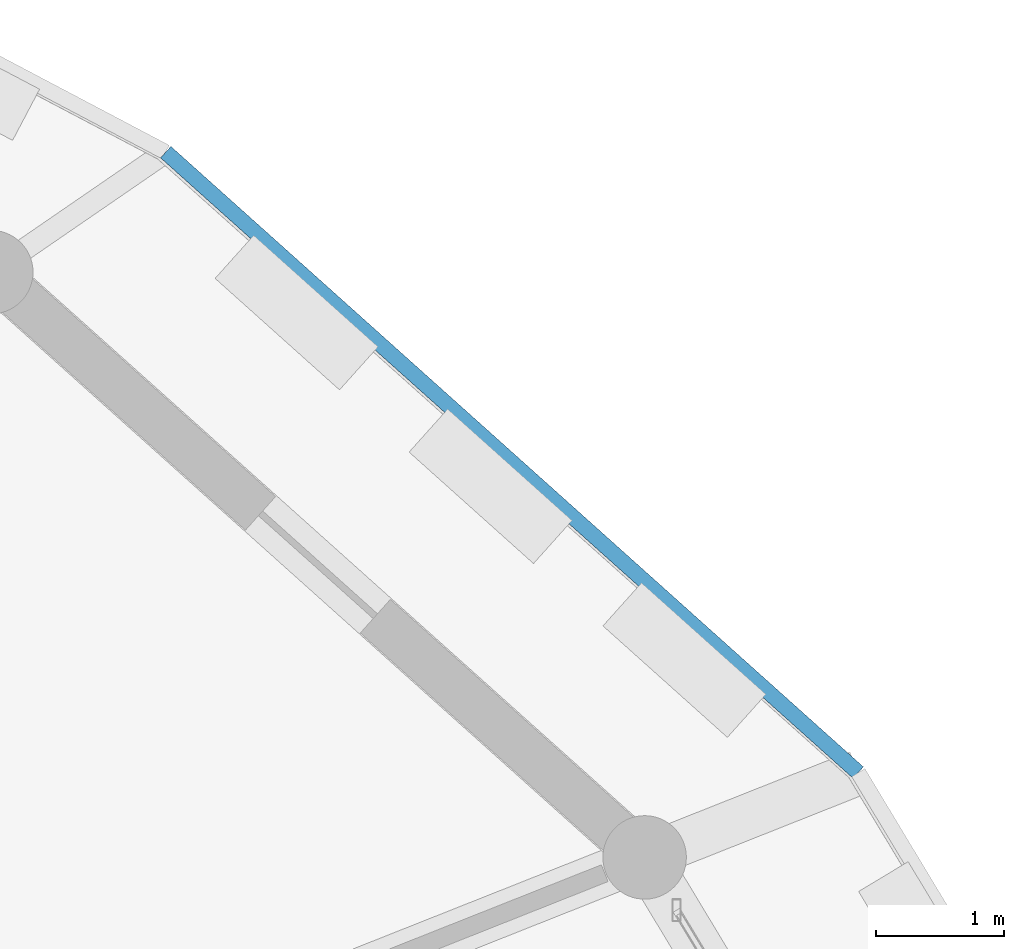
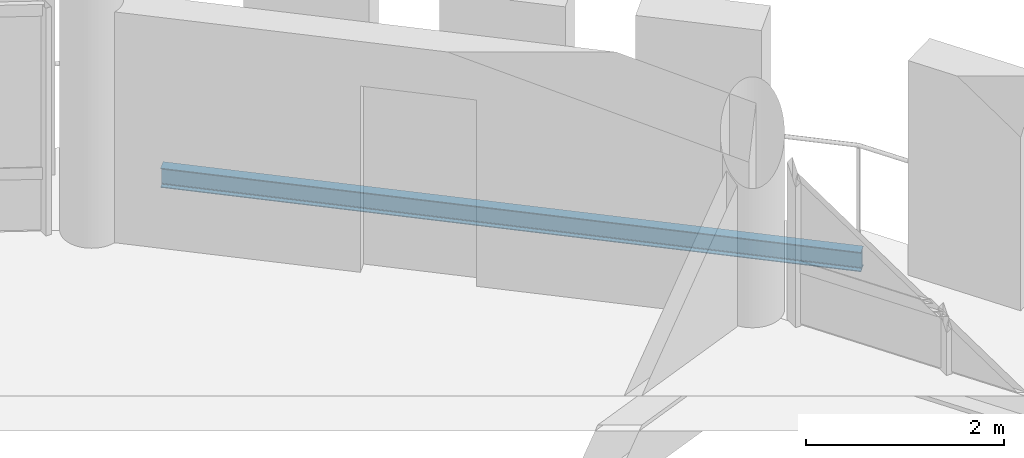
# One storey, part 54 of 84: 1 beam.
"""IFC4 building model written with IfcOpenShell, lengths in metres."""

from ifc_helpers import new_model, si_unit, direction, frame, origin, origin_2d, place, context, subcontext, project, spatial, i_section, extrude, material, material_profile, profile_set, type_object, element, save


model = new_model("IFC4")

# Units and contexts
model_context = context("Model", 3, precision=1e-05, world=origin(), true_north=direction((0.0, 1.0)))
body_context = subcontext(model_context, "Body", "Model", "MODEL_VIEW")
ifc_project = project(units=[si_unit("LENGTHUNIT", "METRE"), si_unit("AREAUNIT", "SQUARE_METRE"), si_unit("VOLUMEUNIT", "CUBIC_METRE"), si_unit("PLANEANGLEUNIT", "RADIAN"), si_unit("MASSUNIT", "GRAM", prefix="KILO")], contexts=[model_context])

# Site, building, storey
site_placement = place(None, origin())
site = spatial("IfcSite", under=ifc_project, at=site_placement, CompositionType="ELEMENT")
building_placement = place(site_placement, origin())
building = spatial("IfcBuilding", under=site, at=building_placement, Name="Zornivar Specialist Clinic", CompositionType="ELEMENT")
storey_placement = place(building_placement, frame((0.0, 0.0, 12.300048828125)))
storey = spatial("IfcBuildingStorey", under=building, at=storey_placement, Name="L03", CompositionType="ELEMENT", Elevation=12.300048828125)

# Beam
ifc_material = material(Name="Steel S355J2", Category="steel")
ifc_material_profile = material_profile(ifc_material, i_section(OverallWidth=0.1201171875, OverallDepth=0.239990234375, WebThickness=0.006103515625, FlangeThickness=0.009765625, FilletRadius=0.014892578125, at=origin_2d()), Name="IPE 240")
ifc_profile_set = profile_set([ifc_material_profile], Name="Steel S355J2")
beam_type = type_object("IfcBeamType", Name="BM-STL-IPE240", PredefinedType="JOIST", material=ifc_profile_set)
beam_placement = place(storey_placement, frame((122.97607421875, 69.260009765625, -0.360107421875), z_axis=(-0.744798316601, 0.66728964295, 0.0), x_axis=(-0.66728964295, -0.744798316601, 0.0)))
element("IfcBeam", 1, at=beam_placement, inside=storey, type_object=beam_type, Name="bm:V1:L03:balring:02", PredefinedType="JOIST", context=body_context, shape_type="SweptSolid", body=[
    extrude(i_section(OverallWidth=0.1201171875, OverallDepth=0.239990234375, WebThickness=0.006103515625, FlangeThickness=0.009765625, FilletRadius=0.014892578125, at=origin_2d()), origin(), (0.0, 0.0, 1.0), 7.23828125),
])

save(model, "model.ifc")
